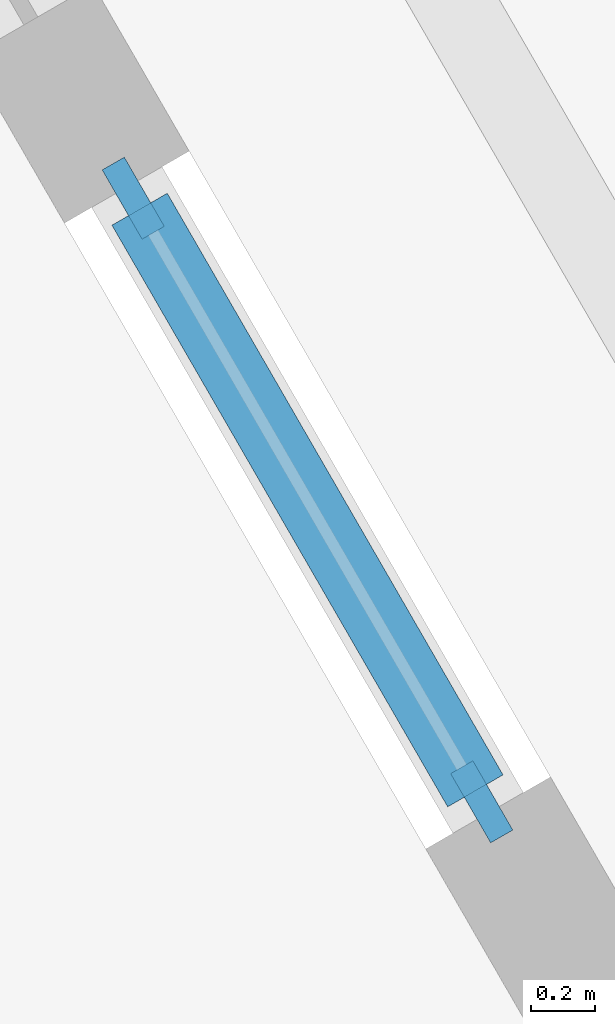
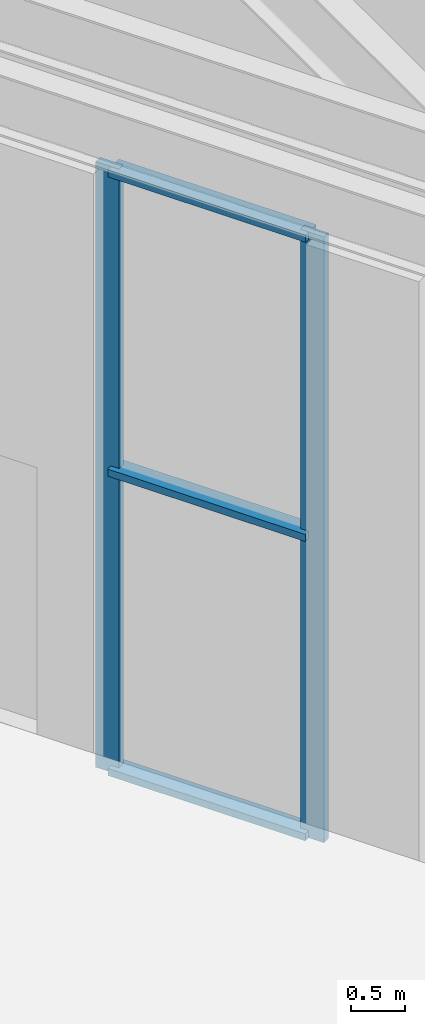
# One storey, part 3 of 37: 5 members, 1 element without a shape of its own.
"""IFC4 building model written with IfcOpenShell, lengths in metres."""

from ifc_helpers import new_model, si_unit, direction, frame, origin, origin_2d, place, context, subcontext, project, spatial, rectangle, extrude, material, material_profile, profile_set, type_object, element, aggregate, save


model = new_model("IFC4")

# Units and contexts
model_context = context("Model", 3, precision=1e-05, world=origin(), true_north=direction((0.0, 1.0)))
body_context = subcontext(model_context, "Body", "Model", "MODEL_VIEW")
ifc_project = project(units=[si_unit("LENGTHUNIT", "METRE"), si_unit("AREAUNIT", "SQUARE_METRE"), si_unit("VOLUMEUNIT", "CUBIC_METRE"), si_unit("PLANEANGLEUNIT", "RADIAN"), si_unit("MASSUNIT", "GRAM", prefix="KILO")], contexts=[model_context])

# Site, building, storey
site_placement = place(None, origin())
site = spatial("IfcSite", under=ifc_project, at=site_placement, CompositionType="ELEMENT")
building_placement = place(site_placement, origin())
building = spatial("IfcBuilding", under=site, at=building_placement, Name="Aloe Facet Convention Tower", CompositionType="ELEMENT")
storey_placement = place(building_placement, origin())
storey = spatial("IfcBuildingStorey", under=building, at=storey_placement, Name="L00", CompositionType="ELEMENT", Elevation=0.0)

# Curtain wall, members
ifc_material_1 = material(Name="Aluminium, anodised", Category="aluminium")
curtain_wall_type = type_object("IfcCurtainWallType", Name="EV-CW-PORTAL", PredefinedType="USERDEFINED", material=ifc_material_1)
curtain_wall_placement = place(storey_placement, origin())
curtain_wall = element("IfcCurtainWall", 1, at=curtain_wall_placement, inside=storey, type_object=curtain_wall_type, Name="CW-L00-W12B", ObjectType="ENTRANCE PORTAL GLAZING", PredefinedType="USERDEFINED")
ifc_material_2 = material(Name="Aluminium, anodised", Category="aluminium")
ifc_material_profile_1 = material_profile(ifc_material_2, rectangle(XDim=0.080078125, YDim=0.25, at=origin_2d()), Name="AL 80x250")
ifc_profile_set_1 = profile_set([ifc_material_profile_1], Name="Aluminium, anodised")
member_type_1 = type_object("IfcMemberType", Name="EV-MULL-PORTAL", PredefinedType="MULLION", material=ifc_profile_set_1)
member_1_placement = place(storey_placement, frame((52.18115234375, 83.404296875, -0.300048828125), z_axis=(0.0, 0.0, 1.0), x_axis=(0.86602540375, 0.50000000006, 0.0)))
member_1 = element("IfcMember", 2, at=member_1_placement, type_object=member_type_1, Name="CW-L00-W12B mullion 1", PredefinedType="MULLION", context=body_context, shape_type="SweptSolid", body=[
    extrude(rectangle(XDim=0.080078125, YDim=0.25, at=origin_2d()), origin(), (0.0, 0.0, 1.0), 6.8125),
])
member_2_placement = place(storey_placement, frame((53.271484375, 81.515869140625, -0.300048828125), z_axis=(0.0, 0.0, 1.0), x_axis=(0.86602540375, 0.50000000006, 0.0)))
member_2 = element("IfcMember", 3, at=member_2_placement, type_object=member_type_1, Name="CW-L00-W12B mullion 2", PredefinedType="MULLION", context=body_context, shape_type="SweptSolid", body=[
    extrude(rectangle(XDim=0.080078125, YDim=0.25, at=origin_2d()), origin(), (0.0, 0.0, 1.0), 6.8125),
])
ifc_material_3 = material(Name="Aluminium, anodised", Category="aluminium")
ifc_material_profile_2 = material_profile(ifc_material_3, rectangle(XDim=0.199951171875, YDim=0.080078125, at=origin_2d()), Name="AL 200x80")
ifc_profile_set_2 = profile_set([ifc_material_profile_2], Name="Aluminium, anodised")
member_type_2 = type_object("IfcMemberType", Name="EV-TRAN-PORTAL", PredefinedType="USERDEFINED", material=ifc_profile_set_2)
member_3_placement = place(storey_placement, frame((52.201171875, 83.36962890625, -0.260009765625), z_axis=(0.49996389635, -0.866046247233, 0.0), x_axis=(0.866046247233, 0.49996389635, 0.0)))
member_3 = element("IfcMember", 4, at=member_3_placement, type_object=member_type_2, Name="CW-L00-W12B transom 1.1", ObjectType="TRANSOM", PredefinedType="USERDEFINED", context=body_context, shape_type="SweptSolid", body=[
    extrude(rectangle(XDim=0.199951171875, YDim=0.080078125, at=origin_2d()), origin(), (0.0, 0.0, 1.0), 2.100830078125),
])
member_4_placement = place(storey_placement, frame((52.201171875, 83.36962890625, 3.106201171875), z_axis=(0.49996389635, -0.866046247233, 0.0), x_axis=(0.866046247233, 0.49996389635, 0.0)))
member_4 = element("IfcMember", 5, at=member_4_placement, type_object=member_type_2, Name="CW-L00-W12B transom 1.2", ObjectType="TRANSOM", PredefinedType="USERDEFINED", context=body_context, shape_type="SweptSolid", body=[
    extrude(rectangle(XDim=0.199951171875, YDim=0.080078125, at=origin_2d()), origin(), (0.0, 0.0, 1.0), 2.100830078125),
])
member_5_placement = place(storey_placement, frame((52.201171875, 83.36962890625, 6.472412109375), z_axis=(0.49996389635, -0.866046247233, 0.0), x_axis=(0.866046247233, 0.49996389635, 0.0)))
member_5 = element("IfcMember", 6, at=member_5_placement, type_object=member_type_2, Name="CW-L00-W12B transom 1.3", ObjectType="TRANSOM", PredefinedType="USERDEFINED", context=body_context, shape_type="SweptSolid", body=[
    extrude(rectangle(XDim=0.199951171875, YDim=0.080078125, at=origin_2d()), origin(), (0.0, 0.0, 1.0), 2.100830078125),
])
aggregate(curtain_wall, [member_1, member_2, member_3, member_4, member_5])

save(model, "model.ifc")
